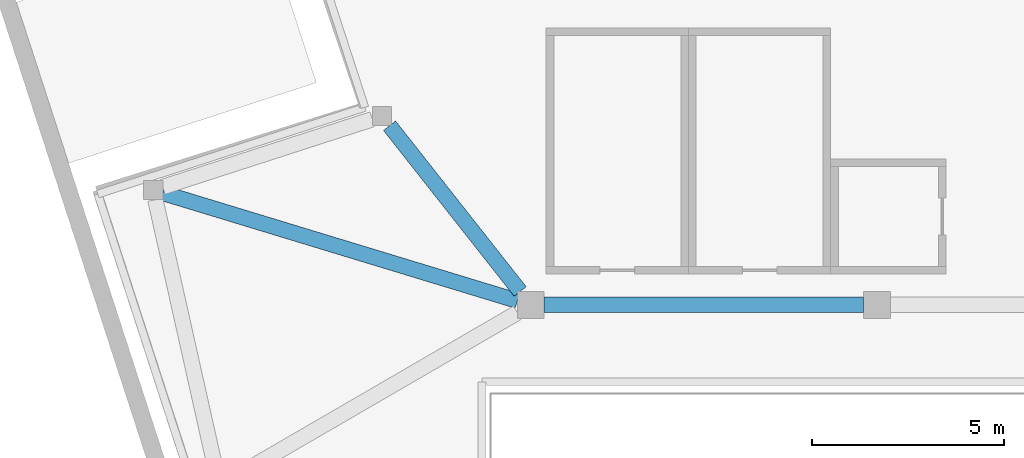
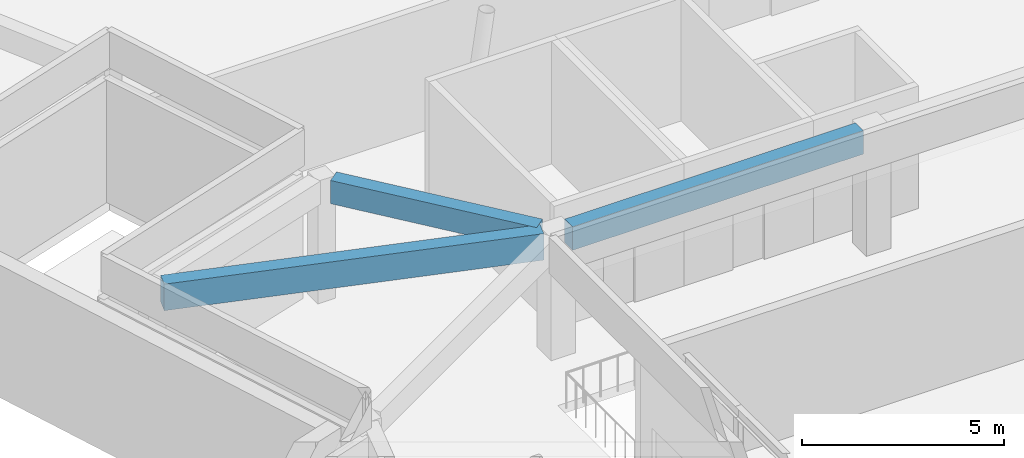
# One storey, part 18 of 72: 3 beams.
"""IFC4 building model written with IfcOpenShell, lengths in metres."""

from ifc_helpers import new_model, si_unit, direction, frame, origin, origin_2d, place, context, subcontext, project, spatial, rectangle, extrude, material, material_profile, profile_set, type_object, element, save


model = new_model("IFC4")

# Units and contexts
model_context = context("Model", 3, precision=1e-05, world=origin(), true_north=direction((0.0, 1.0)))
body_context = subcontext(model_context, "Body", "Model", "MODEL_VIEW")
ifc_project = project(units=[si_unit("LENGTHUNIT", "METRE"), si_unit("AREAUNIT", "SQUARE_METRE"), si_unit("VOLUMEUNIT", "CUBIC_METRE"), si_unit("PLANEANGLEUNIT", "RADIAN"), si_unit("MASSUNIT", "GRAM", prefix="KILO")], contexts=[model_context])

# Site, building, storey
site_placement = place(None, origin())
site = spatial("IfcSite", under=ifc_project, at=site_placement, CompositionType="ELEMENT")
building_placement = place(site_placement, origin())
building = spatial("IfcBuilding", under=site, at=building_placement, Name="Tuart Plaza Theatre", CompositionType="ELEMENT")
storey_placement = place(building_placement, frame((0.0, 0.0, 13.5)))
storey = spatial("IfcBuildingStorey", under=building, at=storey_placement, Name="L03", CompositionType="ELEMENT", Elevation=13.5)

# Beams
ifc_material_1 = material(Name="Concrete N40 (40 MPa)", Category="concrete")
ifc_material_profile_1 = material_profile(ifc_material_1, rectangle(XDim=0.39990234375, YDim=0.699951171875, at=origin_2d()), Name="BEAM 400x700 Concrete N40 (40 MPa)")
ifc_profile_set_1 = profile_set([ifc_material_profile_1], Name="Concrete N40 (40 MPa)")
beam_type_1 = type_object("IfcBeamType", Name="BEAM 400x700 Concrete N40 (40 MPa)", PredefinedType="BEAM", material=ifc_profile_set_1)
beam_1_placement = place(storey_placement, frame((87.35009765625, 56.0, 3.35009765625), z_axis=(1.0, 0.0, 0.0), x_axis=(0.0, 1.0, 0.0)))
element("IfcBeam", 1, at=beam_1_placement, inside=storey, type_object=beam_type_1, Name="RB486", PredefinedType="BEAM", context=body_context, shape_type="SweptSolid", body=[
    extrude(rectangle(XDim=0.39990234375, YDim=0.699951171875, at=origin_2d()), origin(), (0.0, 0.0, 1.0), 8.2998046875),
])
beam_2_placement = place(storey_placement, frame((86.72412109375, 56.35009765625, 3.35009765625), z_axis=(-0.619025268414, 0.785371069664, 0.0), x_axis=(-0.785371069664, -0.619025268414, 0.0)))
element("IfcBeam", 2, at=beam_2_placement, inside=storey, type_object=beam_type_1, Name="RB489", PredefinedType="BEAM", context=body_context, shape_type="SweptSolid", body=[
    extrude(rectangle(XDim=0.39990234375, YDim=0.699951171875, at=origin_2d()), origin(), (0.0, 0.0, 1.0), 5.487548828125),
])
ifc_material_2 = material(Name="Concrete N40 (40 MPa)", Category="concrete")
ifc_material_profile_2 = material_profile(ifc_material_2, rectangle(XDim=0.39990234375, YDim=0.800048828125, at=origin_2d()), Name="BEAM 400x800 Concrete N40 (40 MPa)")
ifc_profile_set_2 = profile_set([ifc_material_profile_2], Name="Concrete N40 (40 MPa)")
beam_type_2 = type_object("IfcBeamType", Name="BEAM 400x800 Concrete N40 (40 MPa)", PredefinedType="BEAM", material=ifc_profile_set_2)
beam_3_placement = place(storey_placement, frame((86.64990234375, 56.1064453125, 3.300048828125), z_axis=(-0.956748419242, 0.290916589897, 0.0), x_axis=(-0.290916589897, -0.956748419242, 0.0)))
element("IfcBeam", 3, at=beam_3_placement, inside=storey, type_object=beam_type_2, Name="RB488", PredefinedType="BEAM", context=body_context, shape_type="SweptSolid", body=[
    extrude(rectangle(XDim=0.39990234375, YDim=0.800048828125, at=origin_2d()), origin(), (0.0, 0.0, 1.0), 9.635009765625),
])

save(model, "model.ifc")
